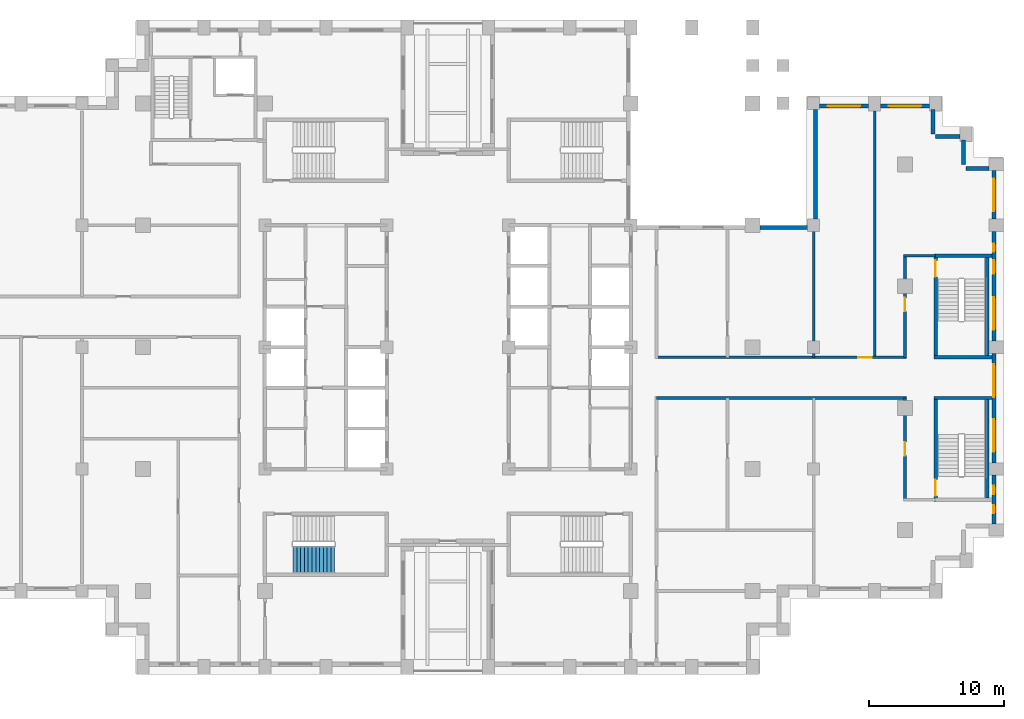
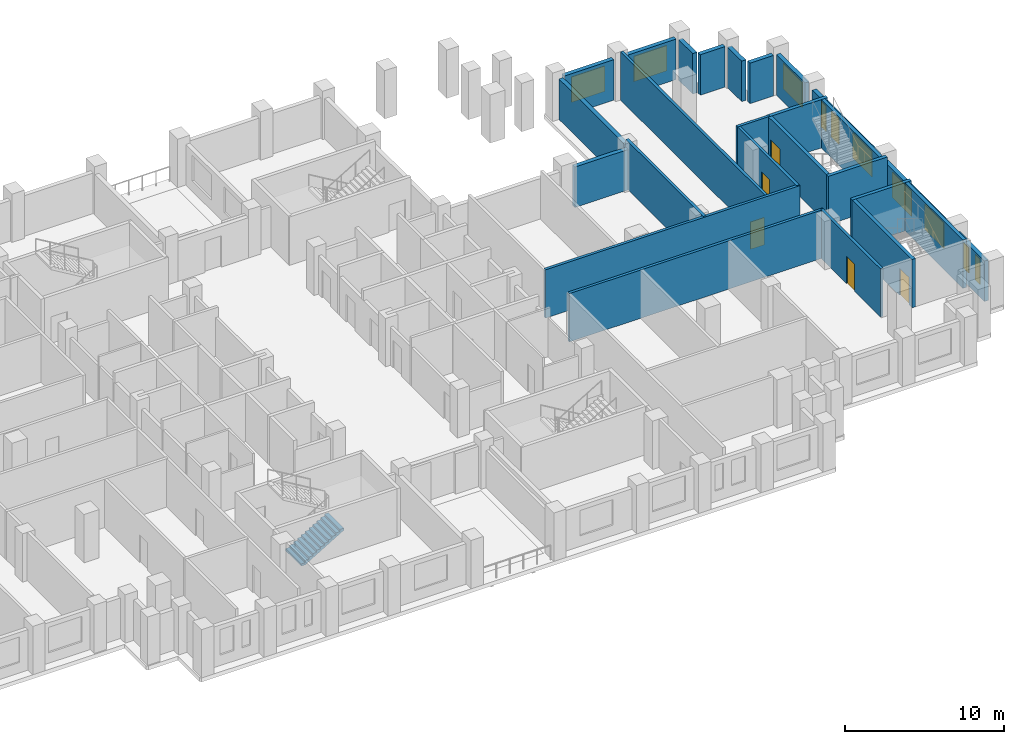
# One storey, part 8 of 12: 26 walls, 10 windows, 5 doors, 1 stair flight, 15 openings, 1 element without a shape of its own.
"""IFC4 building model written with IfcOpenShell, lengths in metres."""

from ifc_helpers import new_model, si_unit, direction, frame, frame_2d, origin, place, context, subcontext, project, spatial, polyline, rectangle, outline, extrude, material, layer, layer_set, type_object, element, fill, aggregate, save


model = new_model("IFC4")

# Units and contexts
model_context = context("Model", 3, precision=1e-05, world=origin(), true_north=direction((0.0, 1.0)))
body_context = subcontext(model_context, "Body", "Model", "MODEL_VIEW")
ifc_project = project(units=[si_unit("LENGTHUNIT", "METRE"), si_unit("AREAUNIT", "SQUARE_METRE"), si_unit("VOLUMEUNIT", "CUBIC_METRE"), si_unit("PLANEANGLEUNIT", "RADIAN"), si_unit("MASSUNIT", "GRAM", prefix="KILO")], contexts=[model_context])

# Site, building, storey
site_placement = place(None, origin())
site = spatial("IfcSite", under=ifc_project, at=site_placement, CompositionType="ELEMENT")
building_placement = place(site_placement, origin())
building = spatial("IfcBuilding", under=site, at=building_placement, Name="Corbelhall Arena Tower", CompositionType="ELEMENT")
storey_placement = place(building_placement, frame((0.0, 0.0, 126.0)))
storey = spatial("IfcBuildingStorey", under=building, at=storey_placement, Name="L23", CompositionType="ELEMENT", Elevation=126.0)

# Walls
ifc_material_1 = material(Name="Precast concrete C40/50 with granite facing", Category="masonry")
ifc_layer_1 = layer(ifc_material_1, 0.300048828125)
ifc_layer_set_1 = layer_set([ifc_layer_1], Name="EV-IW1 Infill panel 300")
wall_type_1 = type_object("IfcWallType", Name="EV-IW1 Infill panel 300", PredefinedType="SOLIDWALL", material=ifc_layer_set_1)
wall_1_placement = place(storey_placement, frame((39.949951171875, 13.199951171875, 0.0), z_axis=(0.0, 0.0, 1.0), x_axis=(-1.0, 0.0, 0.0)))
element("IfcWall", 1, at=wall_1_placement, inside=storey, type_object=wall_type_1, Name="Infill panel IW1", PredefinedType="SOLIDWALL", context=body_context, shape_type="SweptSolid", body=[
    extrude(rectangle(XDim=1.699951171875, YDim=0.300048828125, at=frame_2d((0.85009765625, 0.0))), origin(), (0.0, 0.0, 1.0), 3.10009765625),
])
for number, where, z_axis, x_axis, name in (
    (2, (38.050048828125, 15.300048828125, 0.0), (0.0, 0.0, 1.0), (0.0, -1.0, 0.0), "Infill panel IW1"),
    (3, (37.800048828125, 15.550048828125, 0.0), (0.0, 0.0, 1.0), (-1.0, 0.0, 0.0), "Infill panel IW1"),
    (4, (35.800048828125, 17.550048828125, 0.0), (0.0, 0.0, 1.0), (0.0, -1.0, 0.0), "Infill panel IW1"),
):
    element("IfcWall", number, at=place(storey_placement, frame(where, z_axis=z_axis, x_axis=x_axis)), inside=storey, type_object=wall_type_1, Name=name, PredefinedType="SOLIDWALL", context=body_context, shape_type="SweptSolid", body=[
        extrude(rectangle(XDim=1.800048828125, YDim=0.300048828125, at=frame_2d((0.89990234375, 0.0))), origin(), (0.0, 0.0, 1.0), 3.10009765625),
    ])

# Wall, openings, windows
wall_2_placement = place(storey_placement, frame((40.300048828125, -13.050048828125, 0.0), z_axis=(0.0, 0.0, 1.0), x_axis=(0.0, 1.0, 0.0)))
wall_2 = element("IfcWall", 5, at=wall_2_placement, inside=storey, type_object=wall_type_1, Name="Infill panel IW1", PredefinedType="SOLIDWALL", context=body_context, shape_type="SweptSolid", body=[
    extrude(rectangle(XDim=3.60009765625, YDim=0.300048828125, at=frame_2d((1.800048828125, 0.0))), origin(), (0.0, 0.0, 1.0), 3.10009765625),
])
opening_1_placement = place(wall_2_placement, frame((0.78759765625, 0.0, 0.800048828125)))
opening_1 = element("IfcOpeningElement", 6, at=opening_1_placement, cuts=wall_2, Name="Opening WN5", PredefinedType="OPENING", context=body_context, shape_type="SweptSolid", body=[
    extrude(rectangle(XDim=0.60009765625, YDim=1.949951171875, at=frame_2d((0.300048828125, 0.97509765625))), frame((0.0, 0.14990234375, 0.0), z_axis=(0.0, -1.0, 0.0), x_axis=(1.0, 0.0, 0.0)), (0.0, 0.0, 1.0), 0.300048828125),
])
opening_2_placement = place(wall_2_placement, frame((2.21240234375, 0.0, 0.800048828125)))
opening_2 = element("IfcOpeningElement", 7, at=opening_2_placement, cuts=wall_2, Name="Opening WN5", PredefinedType="OPENING", context=body_context, shape_type="SweptSolid", body=[
    extrude(rectangle(XDim=0.60009765625, YDim=1.949951171875, at=frame_2d((0.300048828125, 0.97509765625))), frame((0.0, 0.14990234375, 0.0), z_axis=(0.0, -1.0, 0.0), x_axis=(1.0, 0.0, 0.0)), (0.0, 0.0, 1.0), 0.300048828125),
])
ifc_material_2 = material(Name="Aluminium black anodised", Category="aluminium")
window_type_1 = type_object("IfcWindowType", Name="EV-WN5 Office window 600", PartitioningType="SINGLE_PANEL", PredefinedType="WINDOW", material=ifc_material_2)
window_1_placement = place(opening_1_placement, origin())
window_1 = element("IfcWindow", 8, at=window_1_placement, inside=storey, type_object=window_type_1, Name="Window WN5", OverallHeight=1.949951171875, OverallWidth=0.60009765625, PartitioningType="SINGLE_PANEL", PredefinedType="WINDOW", context=body_context, shape_type="SweptSolid", body=[
    extrude(rectangle(XDim=0.60009765625, YDim=1.949951171875, at=frame_2d((0.300048828125, 0.97509765625))), frame((0.0, 0.030029296875, 0.0), z_axis=(0.0, -1.0, 0.0), x_axis=(1.0, 0.0, 0.0)), (0.0, 0.0, 1.0), 0.06005859375),
])
fill(opening_1, window_1)
window_2_placement = place(opening_2_placement, origin())
window_2 = element("IfcWindow", 9, at=window_2_placement, inside=storey, type_object=window_type_1, Name="Window WN5", OverallHeight=1.949951171875, OverallWidth=0.60009765625, PartitioningType="SINGLE_PANEL", PredefinedType="WINDOW", context=body_context, shape_type="SweptSolid", body=[
    extrude(rectangle(XDim=0.60009765625, YDim=1.949951171875, at=frame_2d((0.300048828125, 0.97509765625))), frame((0.0, 0.030029296875, 0.0), z_axis=(0.0, -1.0, 0.0), x_axis=(1.0, 0.0, 0.0)), (0.0, 0.0, 1.0), 0.06005859375),
])
fill(opening_2, window_2)

wall_3_placement = place(storey_placement, frame((40.300048828125, -8.550048828125, 0.0), z_axis=(0.0, 0.0, 1.0), x_axis=(0.0, 1.0, 0.0)))
wall_3 = element("IfcWall", 10, at=wall_3_placement, inside=storey, type_object=wall_type_1, Name="Infill panel IW1", PredefinedType="SOLIDWALL", context=body_context, shape_type="SweptSolid", body=[
    extrude(rectangle(XDim=8.10009765625, YDim=0.300048828125, at=frame_2d((4.050048828125, 0.0))), origin(), (0.0, 0.0, 1.0), 3.10009765625),
])
opening_3_placement = place(wall_3_placement, frame((0.824951171875, 0.0, 0.800048828125)))
opening_3 = element("IfcOpeningElement", 11, at=opening_3_placement, cuts=wall_3, Name="Opening WN1", PredefinedType="OPENING", context=body_context, shape_type="SweptSolid", body=[
    extrude(rectangle(XDim=2.39990234375, YDim=1.949951171875, at=frame_2d((1.199951171875, 0.97509765625))), frame((0.0, 0.14990234375, 0.0), z_axis=(0.0, -1.0, 0.0), x_axis=(1.0, 0.0, 0.0)), (0.0, 0.0, 1.0), 0.300048828125),
])
opening_4_placement = place(wall_3_placement, frame((4.875, 0.0, 0.800048828125)))
opening_4 = element("IfcOpeningElement", 12, at=opening_4_placement, cuts=wall_3, Name="Opening WN1", PredefinedType="OPENING", context=body_context, shape_type="SweptSolid", body=[
    extrude(rectangle(XDim=2.39990234375, YDim=1.949951171875, at=frame_2d((1.199951171875, 0.97509765625))), frame((0.0, 0.14990234375, 0.0), z_axis=(0.0, -1.0, 0.0), x_axis=(1.0, 0.0, 0.0)), (0.0, 0.0, 1.0), 0.300048828125),
])
window_type_2 = type_object("IfcWindowType", Name="EV-WN1 Office window", PartitioningType="SINGLE_PANEL", PredefinedType="WINDOW", material=ifc_material_2)
window_3_placement = place(opening_3_placement, origin())
window_3 = element("IfcWindow", 13, at=window_3_placement, inside=storey, type_object=window_type_2, Name="Window WN1", OverallHeight=1.949951171875, OverallWidth=2.39990234375, PartitioningType="SINGLE_PANEL", PredefinedType="WINDOW", context=body_context, shape_type="SweptSolid", body=[
    extrude(rectangle(XDim=2.39990234375, YDim=1.949951171875, at=frame_2d((1.199951171875, 0.97509765625))), frame((0.0, 0.030029296875, 0.0), z_axis=(0.0, -1.0, 0.0), x_axis=(1.0, 0.0, 0.0)), (0.0, 0.0, 1.0), 0.06005859375),
])
fill(opening_3, window_3)
window_4_placement = place(opening_4_placement, origin())
window_4 = element("IfcWindow", 14, at=window_4_placement, inside=storey, type_object=window_type_2, Name="Window WN1", OverallHeight=1.949951171875, OverallWidth=2.39990234375, PartitioningType="SINGLE_PANEL", PredefinedType="WINDOW", context=body_context, shape_type="SweptSolid", body=[
    extrude(rectangle(XDim=2.39990234375, YDim=1.949951171875, at=frame_2d((1.199951171875, 0.97509765625))), frame((0.0, 0.030029296875, 0.0), z_axis=(0.0, -1.0, 0.0), x_axis=(1.0, 0.0, 0.0)), (0.0, 0.0, 1.0), 0.06005859375),
])
fill(opening_4, window_4)

wall_4_placement = place(storey_placement, frame((40.300048828125, 0.449951171875, 0.0), z_axis=(0.0, 0.0, 1.0), x_axis=(0.0, 1.0, 0.0)))
wall_4 = element("IfcWall", 15, at=wall_4_placement, inside=storey, type_object=wall_type_1, Name="Infill panel IW1", PredefinedType="SOLIDWALL", context=body_context, shape_type="SweptSolid", body=[
    extrude(rectangle(XDim=8.10009765625, YDim=0.300048828125, at=frame_2d((4.050048828125, 0.0))), origin(), (0.0, 0.0, 1.0), 3.10009765625),
])
opening_5_placement = place(wall_4_placement, frame((0.824951171875, 0.0, 0.800048828125)))
opening_5 = element("IfcOpeningElement", 16, at=opening_5_placement, cuts=wall_4, Name="Opening WN1", PredefinedType="OPENING", context=body_context, shape_type="SweptSolid", body=[
    extrude(rectangle(XDim=2.39990234375, YDim=1.949951171875, at=frame_2d((1.199951171875, 0.97509765625))), frame((0.0, 0.14990234375, 0.0), z_axis=(0.0, -1.0, 0.0), x_axis=(1.0, 0.0, 0.0)), (0.0, 0.0, 1.0), 0.300048828125),
])
opening_6_placement = place(wall_4_placement, frame((4.97509765625, 0.0, 0.800048828125)))
opening_6 = element("IfcOpeningElement", 17, at=opening_6_placement, cuts=wall_4, Name="Opening WN6", PredefinedType="OPENING", context=body_context, shape_type="SweptSolid", body=[
    extrude(rectangle(XDim=1.0, YDim=1.949951171875, at=frame_2d((0.5, 0.97509765625))), frame((0.0, 0.14990234375, 0.0), z_axis=(0.0, -1.0, 0.0), x_axis=(1.0, 0.0, 0.0)), (0.0, 0.0, 1.0), 0.300048828125),
])
opening_7_placement = place(wall_4_placement, frame((6.60009765625, 0.0, 0.800048828125)))
opening_7 = element("IfcOpeningElement", 18, at=opening_7_placement, cuts=wall_4, Name="Opening WN5", PredefinedType="OPENING", context=body_context, shape_type="SweptSolid", body=[
    extrude(rectangle(XDim=0.60009765625, YDim=1.949951171875, at=frame_2d((0.300048828125, 0.97509765625))), frame((0.0, 0.14990234375, 0.0), z_axis=(0.0, -1.0, 0.0), x_axis=(1.0, 0.0, 0.0)), (0.0, 0.0, 1.0), 0.300048828125),
])
window_5_placement = place(opening_5_placement, origin())
window_5 = element("IfcWindow", 19, at=window_5_placement, inside=storey, type_object=window_type_2, Name="Window WN1", OverallHeight=1.949951171875, OverallWidth=2.39990234375, PartitioningType="SINGLE_PANEL", PredefinedType="WINDOW", context=body_context, shape_type="SweptSolid", body=[
    extrude(rectangle(XDim=2.39990234375, YDim=1.949951171875, at=frame_2d((1.199951171875, 0.97509765625))), frame((0.0, 0.030029296875, 0.0), z_axis=(0.0, -1.0, 0.0), x_axis=(1.0, 0.0, 0.0)), (0.0, 0.0, 1.0), 0.06005859375),
])
fill(opening_5, window_5)
window_6_placement = place(opening_7_placement, origin())
window_6 = element("IfcWindow", 20, at=window_6_placement, inside=storey, type_object=window_type_1, Name="Window WN5", OverallHeight=1.949951171875, OverallWidth=0.60009765625, PartitioningType="SINGLE_PANEL", PredefinedType="WINDOW", context=body_context, shape_type="SweptSolid", body=[
    extrude(rectangle(XDim=0.60009765625, YDim=1.949951171875, at=frame_2d((0.300048828125, 0.97509765625))), frame((0.0, 0.030029296875, 0.0), z_axis=(0.0, -1.0, 0.0), x_axis=(1.0, 0.0, 0.0)), (0.0, 0.0, 1.0), 0.06005859375),
])
fill(opening_7, window_6)
window_type_3 = type_object("IfcWindowType", Name="EV-WN6 Office window 1000", PartitioningType="SINGLE_PANEL", PredefinedType="WINDOW", material=ifc_material_2)
window_7_placement = place(opening_6_placement, origin())
window_7 = element("IfcWindow", 21, at=window_7_placement, inside=storey, type_object=window_type_3, Name="Window WN6", OverallHeight=1.949951171875, OverallWidth=1.0, PartitioningType="SINGLE_PANEL", PredefinedType="WINDOW", context=body_context, shape_type="SweptSolid", body=[
    extrude(rectangle(XDim=1.0, YDim=1.949951171875, at=frame_2d((0.5, 0.97509765625))), frame((0.0, 0.030029296875, 0.0), z_axis=(0.0, -1.0, 0.0), x_axis=(1.0, 0.0, 0.0)), (0.0, 0.0, 1.0), 0.06005859375),
])
fill(opening_6, window_7)

# Wall, opening, window
wall_5_placement = place(storey_placement, frame((40.300048828125, 9.449951171875, 0.0), z_axis=(0.0, 0.0, 1.0), x_axis=(0.0, 1.0, 0.0)))
wall_5 = element("IfcWall", 22, at=wall_5_placement, inside=storey, type_object=wall_type_1, Name="Infill panel IW1", PredefinedType="SOLIDWALL", context=body_context, shape_type="SweptSolid", body=[
    extrude(rectangle(XDim=3.60009765625, YDim=0.300048828125, at=frame_2d((1.800048828125, 0.0))), origin(), (0.0, 0.0, 1.0), 3.10009765625),
])
opening_8_placement = place(wall_5_placement, frame((0.60009765625, 0.0, 0.800048828125)))
opening_8 = element("IfcOpeningElement", 23, at=opening_8_placement, cuts=wall_5, Name="Opening WN1", PredefinedType="OPENING", context=body_context, shape_type="SweptSolid", body=[
    extrude(rectangle(XDim=2.39990234375, YDim=1.949951171875, at=frame_2d((1.199951171875, 0.97509765625))), frame((0.0, 0.14990234375, 0.0), z_axis=(0.0, -1.0, 0.0), x_axis=(1.0, 0.0, 0.0)), (0.0, 0.0, 1.0), 0.300048828125),
])
window_8_placement = place(opening_8_placement, origin())
window_8 = element("IfcWindow", 24, at=window_8_placement, inside=storey, type_object=window_type_2, Name="Window WN1", OverallHeight=1.949951171875, OverallWidth=2.39990234375, PartitioningType="SINGLE_PANEL", PredefinedType="WINDOW", context=body_context, shape_type="SweptSolid", body=[
    extrude(rectangle(XDim=2.39990234375, YDim=1.949951171875, at=frame_2d((1.199951171875, 0.97509765625))), frame((0.0, 0.030029296875, 0.0), z_axis=(0.0, -1.0, 0.0), x_axis=(1.0, 0.0, 0.0)), (0.0, 0.0, 1.0), 0.06005859375),
])
fill(opening_8, window_8)

wall_6_placement = place(storey_placement, frame((35.550048828125, 17.800048828125, 0.0), z_axis=(0.0, 0.0, 1.0), x_axis=(-1.0, 0.0, 0.0)))
wall_6 = element("IfcWall", 25, at=wall_6_placement, inside=storey, type_object=wall_type_1, Name="Infill panel IW1", PredefinedType="SOLIDWALL", context=body_context, shape_type="SweptSolid", body=[
    extrude(rectangle(XDim=3.60009765625, YDim=0.300048828125, at=frame_2d((1.800048828125, 0.0))), origin(), (0.0, 0.0, 1.0), 3.10009765625),
])
opening_9_placement = place(wall_6_placement, frame((0.60009765625, 0.0, 0.800048828125)))
opening_9 = element("IfcOpeningElement", 26, at=opening_9_placement, cuts=wall_6, Name="Opening WN1", PredefinedType="OPENING", context=body_context, shape_type="SweptSolid", body=[
    extrude(rectangle(XDim=2.39990234375, YDim=1.949951171875, at=frame_2d((1.199951171875, 0.97509765625))), frame((0.0, 0.14990234375, 0.0), z_axis=(0.0, -1.0, 0.0), x_axis=(1.0, 0.0, 0.0)), (0.0, 0.0, 1.0), 0.300048828125),
])
window_9_placement = place(opening_9_placement, origin())
window_9 = element("IfcWindow", 27, at=window_9_placement, inside=storey, type_object=window_type_2, Name="Window WN1", OverallHeight=1.949951171875, OverallWidth=2.39990234375, PartitioningType="SINGLE_PANEL", PredefinedType="WINDOW", context=body_context, shape_type="SweptSolid", body=[
    extrude(rectangle(XDim=2.39990234375, YDim=1.949951171875, at=frame_2d((1.199951171875, 0.97509765625))), frame((0.0, 0.030029296875, 0.0), z_axis=(0.0, -1.0, 0.0), x_axis=(1.0, 0.0, 0.0)), (0.0, 0.0, 1.0), 0.06005859375),
])
fill(opening_9, window_9)

wall_7_placement = place(storey_placement, frame((31.050048828125, 17.800048828125, 0.0), z_axis=(0.0, 0.0, 1.0), x_axis=(-1.0, 0.0, 0.0)))
wall_7 = element("IfcWall", 28, at=wall_7_placement, inside=storey, type_object=wall_type_1, Name="Infill panel IW1", PredefinedType="SOLIDWALL", context=body_context, shape_type="SweptSolid", body=[
    extrude(rectangle(XDim=3.60009765625, YDim=0.300048828125, at=frame_2d((1.800048828125, 0.0))), origin(), (0.0, 0.0, 1.0), 3.10009765625),
])
opening_10_placement = place(wall_7_placement, frame((0.60009765625, 0.0, 0.800048828125)))
opening_10 = element("IfcOpeningElement", 29, at=opening_10_placement, cuts=wall_7, Name="Opening WN1", PredefinedType="OPENING", context=body_context, shape_type="SweptSolid", body=[
    extrude(rectangle(XDim=2.39990234375, YDim=1.949951171875, at=frame_2d((1.199951171875, 0.97509765625))), frame((0.0, 0.14990234375, 0.0), z_axis=(0.0, -1.0, 0.0), x_axis=(1.0, 0.0, 0.0)), (0.0, 0.0, 1.0), 0.300048828125),
])
window_10_placement = place(opening_10_placement, origin())
window_10 = element("IfcWindow", 30, at=window_10_placement, inside=storey, type_object=window_type_2, Name="Window WN1", OverallHeight=1.949951171875, OverallWidth=2.39990234375, PartitioningType="SINGLE_PANEL", PredefinedType="WINDOW", context=body_context, shape_type="SweptSolid", body=[
    extrude(rectangle(XDim=2.39990234375, YDim=1.949951171875, at=frame_2d((1.199951171875, 0.97509765625))), frame((0.0, 0.030029296875, 0.0), z_axis=(0.0, -1.0, 0.0), x_axis=(1.0, 0.0, 0.0)), (0.0, 0.0, 1.0), 0.06005859375),
])
fill(opening_10, window_10)

# Walls
wall_8_placement = place(storey_placement, frame((26.949951171875, 8.85009765625, 0.0), z_axis=(0.0, 0.0, 1.0), x_axis=(-1.0, 0.0, 0.0)))
element("IfcWall", 31, at=wall_8_placement, inside=storey, type_object=wall_type_1, Name="Infill panel IW1", PredefinedType="SOLIDWALL", context=body_context, shape_type="SweptSolid", body=[
    extrude(rectangle(XDim=3.89990234375, YDim=0.300048828125, at=frame_2d((1.949951171875, 0.0))), origin(), (0.0, 0.0, 1.0), 3.10009765625),
])
wall_9_placement = place(storey_placement, frame((27.14990234375, 9.449951171875, 0.0), z_axis=(0.0, 0.0, 1.0), x_axis=(0.0, 1.0, 0.0)))
element("IfcWall", 32, at=wall_9_placement, inside=storey, type_object=wall_type_1, Name="Infill panel IW1", PredefinedType="SOLIDWALL", context=body_context, shape_type="SweptSolid", body=[
    extrude(rectangle(XDim=8.10009765625, YDim=0.300048828125, at=frame_2d((4.050048828125, 0.0))), origin(), (0.0, 0.0, 1.0), 3.10009765625),
])

# Wall, opening, door
ifc_material_3 = material(Name="Gypsum board on steel stud, acoustic", Category="steel")
ifc_layer_2 = layer(ifc_material_3, 0.199951171875)
ifc_layer_set_2 = layer_set([ifc_layer_2], Name="IN-W-DM200")
wall_type_2 = type_object("IfcWallType", Name="IN-W-DM200", PredefinedType="PARTITIONING", material=ifc_layer_set_2)
wall_10_placement = place(storey_placement, frame((15.39990234375, -0.75, 0.0), z_axis=(0.0, 0.0, 1.0), x_axis=(1.0, 0.0, 0.0)))
wall_10 = element("IfcWall", 33, at=wall_10_placement, inside=storey, type_object=wall_type_2, Name="Partition 032", PredefinedType="PARTITIONING", context=body_context, shape_type="SweptSolid", body=[
    extrude(rectangle(XDim=18.4501953125, YDim=0.199951171875, at=frame_2d((9.22509765625, 0.0))), origin(), (0.0, 0.0, 1.0), 3.699951171875),
])
opening_11_placement = place(wall_10_placement, frame((14.89990234375, 0.0, 0.0)))
opening_11 = element("IfcOpeningElement", 34, at=opening_11_placement, cuts=wall_10, Name="Opening 06042", PredefinedType="OPENING", context=body_context, shape_type="SweptSolid", body=[
    extrude(rectangle(XDim=1.0, YDim=2.10009765625, at=frame_2d((0.5, 1.050048828125))), frame((0.0, 0.10009765625, 0.0), z_axis=(0.0, -1.0, 0.0), x_axis=(1.0, 0.0, 0.0)), (0.0, 0.0, 1.0), 0.199951171875),
])
ifc_material_4 = material(Name="Steel door set", Category="steel")
door_type_1 = type_object("IfcDoorType", Name="IN-D-SW100", OperationType="NOTDEFINED", PredefinedType="DOOR", material=ifc_material_4)
door_1_placement = place(opening_11_placement, origin())
door_1 = element("IfcDoor", 35, at=door_1_placement, inside=storey, type_object=door_type_1, Name="Door 042", OperationType="SINGLE_SWING_LEFT", OverallHeight=2.10009765625, OverallWidth=1.0, PredefinedType="DOOR", context=body_context, shape_type="SweptSolid", body=[
    extrude(rectangle(XDim=1.0, YDim=2.10009765625, at=frame_2d((0.5, 1.050048828125))), frame((0.0, 0.02490234375, 0.0), z_axis=(0.0, -1.0, 0.0), x_axis=(1.0, 0.0, 0.0)), (0.0, 0.0, 1.0), 0.050048828125),
])
fill(opening_11, door_1)

# Walls
wall_11_placement = place(storey_placement, frame((33.85009765625, -3.75, 0.0), z_axis=(0.0, 0.0, 1.0), x_axis=(-1.0, 0.0, 0.0)))
element("IfcWall", 36, at=wall_11_placement, inside=storey, type_object=wall_type_2, Name="Partition 036", PredefinedType="PARTITIONING", context=body_context, shape_type="SweptSolid", body=[
    extrude(rectangle(XDim=18.4501953125, YDim=0.199951171875, at=frame_2d((9.22509765625, 0.0))), origin(), (0.0, 0.0, 1.0), 3.699951171875),
])
wall_12_placement = place(storey_placement, frame((27.0, 9.0, 0.0), z_axis=(0.0, 0.0, 1.0), x_axis=(0.0, -1.0, 0.0)))
element("IfcWall", 37, at=wall_12_placement, inside=storey, type_object=wall_type_2, Name="Partition 039", PredefinedType="PARTITIONING", context=body_context, shape_type="SweptSolid", body=[
    extrude(rectangle(XDim=9.75, YDim=0.199951171875, at=frame_2d((4.875, 0.0))), origin(), (0.0, 0.0, 1.0), 3.699951171875),
])
wall_13_placement = place(storey_placement, frame((31.5, 17.449951171875, 0.0), z_axis=(0.0, 0.0, 1.0), x_axis=(0.0, -1.0, 0.0)))
element("IfcWall", 38, at=wall_13_placement, inside=storey, type_object=wall_type_2, Name="Partition 040", PredefinedType="PARTITIONING", context=body_context, shape_type="SweptSolid", body=[
    extrude(rectangle(XDim=18.199951171875, YDim=0.199951171875, at=frame_2d((9.10009765625, 0.0))), origin(), (0.0, 0.0, 1.0), 3.699951171875),
])
wall_14_placement = place(storey_placement, frame((33.64990234375, 6.75, 0.0), z_axis=(0.0, 0.0, 1.0), x_axis=(1.0, 0.0, 0.0)))
element("IfcWall", 39, at=wall_14_placement, inside=storey, type_object=wall_type_2, Name="Partition 041", PredefinedType="PARTITIONING", context=body_context, shape_type="SweptSolid", body=[
    extrude(rectangle(XDim=2.35009765625, YDim=0.199951171875, at=frame_2d((1.175048828125, 0.0))), origin(), (0.0, 0.0, 1.0), 3.699951171875),
])

# Wall, opening, door
wall_15_placement = place(storey_placement, frame((33.75, -11.25, 0.0), z_axis=(0.0, 0.0, 1.0), x_axis=(0.0, 1.0, 0.0)))
wall_15 = element("IfcWall", 40, at=wall_15_placement, inside=storey, type_object=wall_type_2, Name="Partition 042", PredefinedType="PARTITIONING", context=body_context, shape_type="SweptSolid", body=[
    extrude(rectangle(XDim=7.5, YDim=0.199951171875, at=frame_2d((3.75, 0.0))), origin(), (0.0, 0.0, 1.0), 3.699951171875),
])
opening_12_placement = place(wall_15_placement, frame((3.25, 0.0, 0.0)))
opening_12 = element("IfcOpeningElement", 41, at=opening_12_placement, cuts=wall_15, Name="Opening 06044", PredefinedType="OPENING", context=body_context, shape_type="SweptSolid", body=[
    extrude(rectangle(XDim=1.0, YDim=2.10009765625, at=frame_2d((0.5, 1.050048828125))), frame((0.0, 0.10009765625, 0.0), z_axis=(0.0, -1.0, 0.0), x_axis=(1.0, 0.0, 0.0)), (0.0, 0.0, 1.0), 0.199951171875),
])
door_2_placement = place(opening_12_placement, origin())
door_2 = element("IfcDoor", 42, at=door_2_placement, inside=storey, type_object=door_type_1, Name="Door 044", OperationType="SINGLE_SWING_LEFT", OverallHeight=2.10009765625, OverallWidth=1.0, PredefinedType="DOOR", context=body_context, shape_type="SweptSolid", body=[
    extrude(rectangle(XDim=1.0, YDim=2.10009765625, at=frame_2d((0.5, 1.050048828125))), frame((0.0, 0.02490234375, 0.0), z_axis=(0.0, -1.0, 0.0), x_axis=(1.0, 0.0, 0.0)), (0.0, 0.0, 1.0), 0.050048828125),
])
fill(opening_12, door_2)

wall_16_placement = place(storey_placement, frame((33.75, -0.75, 0.0), z_axis=(0.0, 0.0, 1.0), x_axis=(0.0, 1.0, 0.0)))
wall_16 = element("IfcWall", 43, at=wall_16_placement, inside=storey, type_object=wall_type_2, Name="Partition 043", PredefinedType="PARTITIONING", context=body_context, shape_type="SweptSolid", body=[
    extrude(rectangle(XDim=7.5, YDim=0.199951171875, at=frame_2d((3.75, 0.0))), origin(), (0.0, 0.0, 1.0), 3.699951171875),
])
opening_13_placement = place(wall_16_placement, frame((3.39990234375, 0.0, 0.0)))
opening_13 = element("IfcOpeningElement", 44, at=opening_13_placement, cuts=wall_16, Name="Opening 06043", PredefinedType="OPENING", context=body_context, shape_type="SweptSolid", body=[
    extrude(rectangle(XDim=1.0, YDim=2.10009765625, at=frame_2d((0.5, 1.050048828125))), frame((0.0, 0.10009765625, 0.0), z_axis=(0.0, -1.0, 0.0), x_axis=(1.0, 0.0, 0.0)), (0.0, 0.0, 1.0), 0.199951171875),
])
door_3_placement = place(opening_13_placement, origin())
door_3 = element("IfcDoor", 45, at=door_3_placement, inside=storey, type_object=door_type_1, Name="Door 043", OperationType="SINGLE_SWING_RIGHT", OverallHeight=2.10009765625, OverallWidth=1.0, PredefinedType="DOOR", context=body_context, shape_type="SweptSolid", body=[
    extrude(rectangle(XDim=1.0, YDim=2.10009765625, at=frame_2d((0.5, 1.050048828125))), frame((0.0, 0.02490234375, 0.0), z_axis=(0.0, -1.0, 0.0), x_axis=(1.0, 0.0, 0.0)), (0.0, 0.0, 1.0), 0.050048828125),
])
fill(opening_13, door_3)

# Wall
ifc_material_5 = material(Name="Concrete C40/50", Category="concrete")
ifc_layer_3 = layer(ifc_material_5, 0.25)
ifc_layer_set_3 = layer_set([ifc_layer_3], Name="IN-W-ST250")
wall_type_3 = type_object("IfcWallType", Name="IN-W-ST250", PredefinedType="SOLIDWALL", material=ifc_layer_set_3)
wall_17_placement = place(storey_placement, frame((35.875, -0.75, 0.0), z_axis=(0.0, 0.0, 1.0), x_axis=(1.0, 0.0, 0.0)))
element("IfcWall", 46, at=wall_17_placement, inside=storey, type_object=wall_type_3, Name="Shaft wall 105", PredefinedType="SOLIDWALL", context=body_context, shape_type="SweptSolid", body=[
    extrude(rectangle(XDim=4.27490234375, YDim=0.25, at=frame_2d((2.137451171875, 0.0))), origin(), (0.0, 0.0, 1.0), 3.699951171875),
])

# Wall, opening, door
wall_18_placement = place(storey_placement, frame((36.0, -11.375, 0.0), z_axis=(0.0, 0.0, 1.0), x_axis=(0.0, 1.0, 0.0)))
wall_18 = element("IfcWall", 47, at=wall_18_placement, inside=storey, type_object=wall_type_3, Name="Shaft wall 106", PredefinedType="SOLIDWALL", context=body_context, shape_type="SweptSolid", body=[
    extrude(rectangle(XDim=7.625, YDim=0.25, at=frame_2d((3.8125, 0.0))), origin(), (0.0, 0.0, 1.0), 3.699951171875),
])
opening_14_placement = place(wall_18_placement, frame((0.39990234375, 0.0, 0.0)))
opening_14 = element("IfcOpeningElement", 48, at=opening_14_placement, cuts=wall_18, Name="Opening 06021", PredefinedType="OPENING", context=body_context, shape_type="SweptSolid", body=[
    extrude(rectangle(XDim=1.199951171875, YDim=2.10009765625, at=frame_2d((0.60009765625, 1.050048828125))), frame((0.0, 0.125, 0.0), z_axis=(0.0, -1.0, 0.0), x_axis=(1.0, 0.0, 0.0)), (0.0, 0.0, 1.0), 0.25),
])
door_type_2 = type_object("IfcDoorType", Name="IN-D-ST120", OperationType="NOTDEFINED", PredefinedType="DOOR", material=ifc_material_4)
door_4_placement = place(opening_14_placement, origin())
door_4 = element("IfcDoor", 49, at=door_4_placement, inside=storey, type_object=door_type_2, Name="Door 021", OperationType="SINGLE_SWING_RIGHT", OverallHeight=2.10009765625, OverallWidth=1.199951171875, PredefinedType="DOOR", context=body_context, shape_type="SweptSolid", body=[
    extrude(rectangle(XDim=1.199951171875, YDim=2.10009765625, at=frame_2d((0.60009765625, 1.050048828125))), frame((0.0, 0.02490234375, 0.0), z_axis=(0.0, -1.0, 0.0), x_axis=(1.0, 0.0, 0.0)), (0.0, 0.0, 1.0), 0.050048828125),
])
fill(opening_14, door_4)

wall_19_placement = place(storey_placement, frame((36.0, -0.75, 0.0), z_axis=(0.0, 0.0, 1.0), x_axis=(0.0, 1.0, 0.0)))
wall_19 = element("IfcWall", 50, at=wall_19_placement, inside=storey, type_object=wall_type_3, Name="Shaft wall 107", PredefinedType="SOLIDWALL", context=body_context, shape_type="SweptSolid", body=[
    extrude(rectangle(XDim=7.625, YDim=0.25, at=frame_2d((3.8125, 0.0))), origin(), (0.0, 0.0, 1.0), 3.699951171875),
])
opening_15_placement = place(wall_19_placement, frame((5.949951171875, 0.0, 0.0)))
opening_15 = element("IfcOpeningElement", 51, at=opening_15_placement, cuts=wall_19, Name="Opening 06022", PredefinedType="OPENING", context=body_context, shape_type="SweptSolid", body=[
    extrude(rectangle(XDim=1.199951171875, YDim=2.10009765625, at=frame_2d((0.60009765625, 1.050048828125))), frame((0.0, 0.125, 0.0), z_axis=(0.0, -1.0, 0.0), x_axis=(1.0, 0.0, 0.0)), (0.0, 0.0, 1.0), 0.25),
])
door_5_placement = place(opening_15_placement, origin())
door_5 = element("IfcDoor", 52, at=door_5_placement, inside=storey, type_object=door_type_2, Name="Door 022", OperationType="SINGLE_SWING_LEFT", OverallHeight=2.10009765625, OverallWidth=1.199951171875, PredefinedType="DOOR", context=body_context, shape_type="SweptSolid", body=[
    extrude(rectangle(XDim=1.199951171875, YDim=2.10009765625, at=frame_2d((0.60009765625, 1.050048828125))), frame((0.0, 0.02490234375, 0.0), z_axis=(0.0, -1.0, 0.0), x_axis=(1.0, 0.0, 0.0)), (0.0, 0.0, 1.0), 0.050048828125),
])
fill(opening_15, door_5)

# Walls
wall_20_placement = place(storey_placement, frame((36.0, 6.75, 0.0), z_axis=(0.0, 0.0, 1.0), x_axis=(1.0, 0.0, 0.0)))
element("IfcWall", 53, at=wall_20_placement, inside=storey, type_object=wall_type_3, Name="Shaft wall 108", PredefinedType="SOLIDWALL", context=body_context, shape_type="SweptSolid", body=[
    extrude(rectangle(XDim=4.14990234375, YDim=0.25, at=frame_2d((2.074951171875, 0.0))), origin(), (0.0, 0.0, 1.0), 3.699951171875),
])
wall_21_placement = place(storey_placement, frame((40.14990234375, -3.75, 0.0), z_axis=(0.0, 0.0, 1.0), x_axis=(-1.0, 0.0, 0.0)))
element("IfcWall", 54, at=wall_21_placement, inside=storey, type_object=wall_type_3, Name="Shaft wall 110", PredefinedType="SOLIDWALL", context=body_context, shape_type="SweptSolid", body=[
    extrude(rectangle(XDim=4.27490234375, YDim=0.25, at=frame_2d((2.137451171875, 0.0))), origin(), (0.0, 0.0, 1.0), 3.699951171875),
])
for number, where, z_axis, x_axis, name in (
    (55, (39.824951171875, -11.125, 0.0), (0.0, 0.0, 1.0), (0.0, 1.0, 0.0), "Shaft wall SD1 facade side"),
    (56, (39.824951171875, -0.625, 0.0), (0.0, 0.0, 1.0), (0.0, 1.0, 0.0), "Shaft wall SD2 facade side"),
):
    element("IfcWall", number, at=place(storey_placement, frame(where, z_axis=z_axis, x_axis=x_axis)), inside=storey, type_object=wall_type_3, Name=name, PredefinedType="SOLIDWALL", context=body_context, shape_type="SweptSolid", body=[
        extrude(rectangle(XDim=7.25, YDim=0.25, at=frame_2d((3.625, 0.0))), origin(), (0.0, 0.0, 1.0), 3.699951171875),
    ])

# Stair, stair flight
stair_type = type_object("IfcStairType", Name="IN-ST-TOWER", PredefinedType="HALF_TURN_STAIR", material=ifc_material_5)
stair_placement = place(storey_placement, origin())
stair = element("IfcStair", 57, at=stair_placement, inside=storey, type_object=stair_type, Name="L23 Exit stair ST2", PredefinedType="HALF_TURN_STAIR")
stair_flight_type = type_object("IfcStairFlightType", Name="IN-SFL-RC", PredefinedType="STRAIGHT", material=ifc_material_5)
stair_flight_placement = place(storey_placement, frame((-11.425048828125, -15.699951171875, 0.0), z_axis=(0.0, 0.0, 1.0), x_axis=(1.0, 0.0, 0.0)))
stair_flight = element("IfcStairFlight", 58, at=stair_flight_placement, type_object=stair_flight_type, Name="ST2 flight 1", NumberOfRisers=12, NumberOfTreads=11, PredefinedType="STRAIGHT", RiserHeight=0.166666667, TreadLength=0.28, context=body_context, shape_type="SweptSolid", body=[
    extrude(outline(polyline([(0.0, 0.0), (0.0, 0.166748046875), (0.280029296875, 0.166748046875), (0.280029296875, 0.333251953125), (0.56005859375, 0.333251953125), (0.56005859375, 0.5), (0.840087890625, 0.5), (0.840087890625, 0.666748046875), (1.1201171875, 0.666748046875), (1.1201171875, 0.833251953125), (1.39990234375, 0.833251953125), (1.39990234375, 1.0), (1.679931640625, 1.0), (1.679931640625, 1.166748046875), (1.9599609375, 1.166748046875), (1.9599609375, 1.333251953125), (2.239990234375, 1.333251953125), (2.239990234375, 1.5), (2.52001953125, 1.5), (2.52001953125, 1.666748046875), (2.800048828125, 1.666748046875), (2.800048828125, 1.833251953125), (3.080078125, 1.833251953125), (3.080078125, 2.0), (3.080078125, 1.658935546875), (0.29296875, 0.0), (0.0, 0.0)])), frame((0.0, 0.97509765625, 0.0), z_axis=(0.0, -1.0, 0.0), x_axis=(1.0, 0.0, 0.0)), (0.0, 0.0, 1.0), 0.449951171875),
    extrude(outline(polyline([(0.0, 0.0), (0.0, 0.166748046875), (0.280029296875, 0.166748046875), (0.280029296875, 0.333251953125), (0.56005859375, 0.333251953125), (0.56005859375, 0.5), (0.840087890625, 0.5), (0.840087890625, 0.666748046875), (1.1201171875, 0.666748046875), (1.1201171875, 0.833251953125), (1.39990234375, 0.833251953125), (1.39990234375, 1.0), (1.679931640625, 1.0), (1.679931640625, 1.166748046875), (1.9599609375, 1.166748046875), (1.9599609375, 1.333251953125), (2.239990234375, 1.333251953125), (2.239990234375, 1.5), (2.52001953125, 1.5), (2.52001953125, 1.666748046875), (2.800048828125, 1.666748046875), (2.800048828125, 1.833251953125), (3.080078125, 1.833251953125), (3.080078125, 2.0), (3.080078125, 1.658935546875), (0.29296875, 0.0), (0.0, 0.0)])), frame((0.0, 0.52099609375, 0.0), z_axis=(0.0, -1.0, 0.0), x_axis=(1.0, 0.0, 0.0)), (0.0, 0.0, 1.0), 1.0419921875),
    extrude(outline(polyline([(0.0, 0.0), (0.0, 0.166748046875), (0.280029296875, 0.166748046875), (0.280029296875, 0.333251953125), (0.56005859375, 0.333251953125), (0.56005859375, 0.5), (0.840087890625, 0.5), (0.840087890625, 0.666748046875), (1.1201171875, 0.666748046875), (1.1201171875, 0.833251953125), (1.39990234375, 0.833251953125), (1.39990234375, 1.0), (1.679931640625, 1.0), (1.679931640625, 1.166748046875), (1.9599609375, 1.166748046875), (1.9599609375, 1.333251953125), (2.239990234375, 1.333251953125), (2.239990234375, 1.5), (2.52001953125, 1.5), (2.52001953125, 1.666748046875), (2.800048828125, 1.666748046875), (2.800048828125, 1.833251953125), (3.080078125, 1.833251953125), (3.080078125, 2.0), (3.080078125, 1.658935546875), (0.29296875, 0.0), (0.0, 0.0)])), frame((0.0, -0.52490234375, 0.0), z_axis=(0.0, -1.0, 0.0), x_axis=(1.0, 0.0, 0.0)), (0.0, 0.0, 1.0), 0.449951171875),
])
aggregate(stair, [stair_flight])

save(model, "model.ifc")
